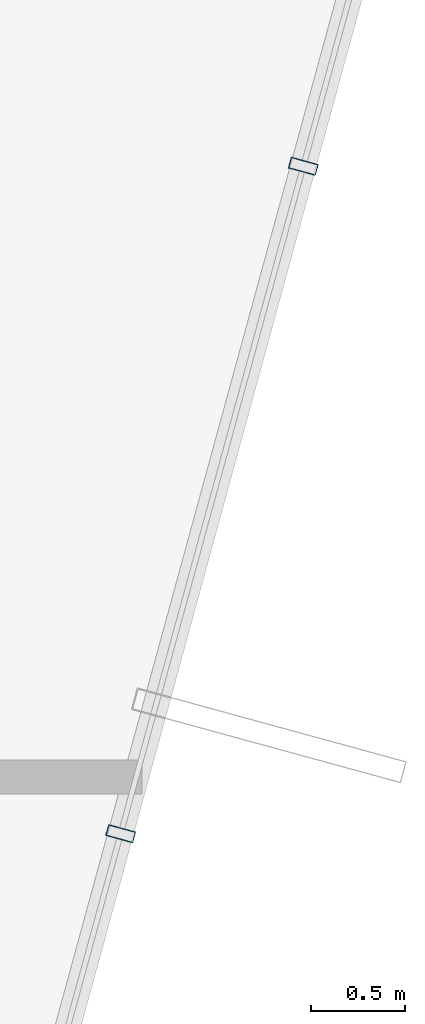
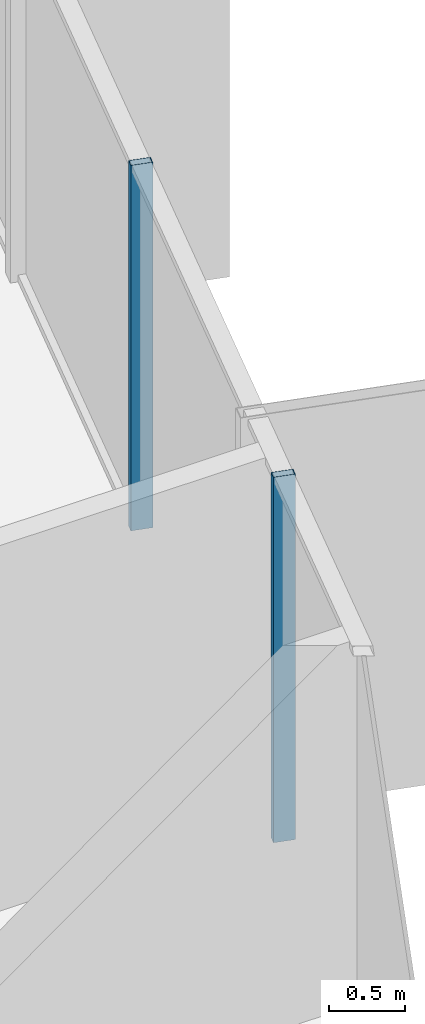
# One storey, part 18 of 29: 2 members, 1 element without a shape of its own.
"""IFC4 building model written with IfcOpenShell, lengths in metres."""

from ifc_helpers import new_model, si_unit, direction, frame, origin, origin_2d, place, context, subcontext, project, spatial, hollow_rectangle, extrude, source, transform, mapped, material, layer, layer_set, material_profile, profile_set, type_object, element, aggregate, save


model = new_model("IFC4")

# Units and contexts
model_context = context("Model", 3, precision=1e-05, world=origin(), true_north=direction((0.0, 1.0)))
body_context = subcontext(model_context, "Body", "Model", "MODEL_VIEW")
ifc_project = project(units=[si_unit("LENGTHUNIT", "METRE"), si_unit("AREAUNIT", "SQUARE_METRE"), si_unit("VOLUMEUNIT", "CUBIC_METRE"), si_unit("PLANEANGLEUNIT", "RADIAN"), si_unit("MASSUNIT", "GRAM", prefix="KILO")], contexts=[model_context])

# Site, building, storey
site_placement = place(None, origin())
site = spatial("IfcSite", under=ifc_project, at=site_placement, CompositionType="ELEMENT")
building_placement = place(site_placement, origin())
building = spatial("IfcBuilding", under=site, at=building_placement, Name="Veraguas Prism Commons", CompositionType="ELEMENT")
storey_placement = place(building_placement, frame((0.0, 0.0, 261.0)))
storey = spatial("IfcBuildingStorey", under=building, at=storey_placement, Name="L74", CompositionType="ELEMENT", Elevation=261.0)

# Curtain wall, members
ifc_material = material(Name="Anodised aluminium EN AW-6063 T6", Category="aluminium")
ifc_layer = layer(ifc_material, 0.14990234375, Name="Unitised Flush Curtain Wall Zone 4", Category="aluminium")
ifc_layer_set = layer_set([ifc_layer], Name="Anodised aluminium EN AW-6063 T6")
curtain_wall_type = type_object("IfcCurtainWallType", Name="Unitised Flush Curtain Wall Zone 4", PredefinedType="NOTDEFINED", material=ifc_layer_set)
curtain_wall_placement = place(storey_placement, origin())
curtain_wall = element("IfcCurtainWall", 1, at=curtain_wall_placement, inside=storey, type_object=curtain_wall_type, Name="Tower Facade Curtain Wall L74-F6", PredefinedType="NOTDEFINED")
ifc_material_profile = material_profile(ifc_material, hollow_rectangle(XDim=0.06005859375, YDim=0.14990234375, WallThickness=0.0029296875, at=origin_2d()), Name="AL60X150X3")
ifc_profile_set = profile_set([ifc_material_profile], Name="Anodised aluminium EN AW-6063 T6")
member_type = type_object("IfcMemberType", Name="Curtain Wall Mullion Upper AL 60x150x3", PredefinedType="MULLION", material=ifc_profile_set)
shared_shape = source(origin(), body_context, "Body", "SweptSolid", [
    extrude(hollow_rectangle(XDim=0.06005859375, YDim=0.14990234375, WallThickness=0.0029296875, at=origin_2d()), origin(), (0.0, 0.0, 1.0), 2.929931640625),
])
member_1_placement = place(storey_placement, frame((38.897216796875, 16.097412109375, 0.0), z_axis=(0.0, 0.0, 1.0), x_axis=(0.263883150773, 0.964554655133, 0.0)))
member_1 = element("IfcMember", 2, at=member_1_placement, type_object=member_type, Name="CW-Z4 Mullion 2", PredefinedType="MULLION", context=body_context, shape_type="MappedRepresentation", body=[
    mapped(shared_shape, transform((0.0, 0.0, 0.0), scale=1.0)),
])
member_2_placement = place(storey_placement, frame((39.871337890625, 19.658203125, 0.0), z_axis=(0.0, 0.0, 1.0), x_axis=(0.263883150773, 0.964554655133, 0.0)))
member_2 = element("IfcMember", 3, at=member_2_placement, type_object=member_type, Name="CW-Z4 Mullion 3", PredefinedType="MULLION", context=body_context, shape_type="MappedRepresentation", body=[
    mapped(shared_shape, transform((0.0, 0.0, 0.0), scale=1.0)),
])
aggregate(curtain_wall, [member_1, member_2])

save(model, "model.ifc")
